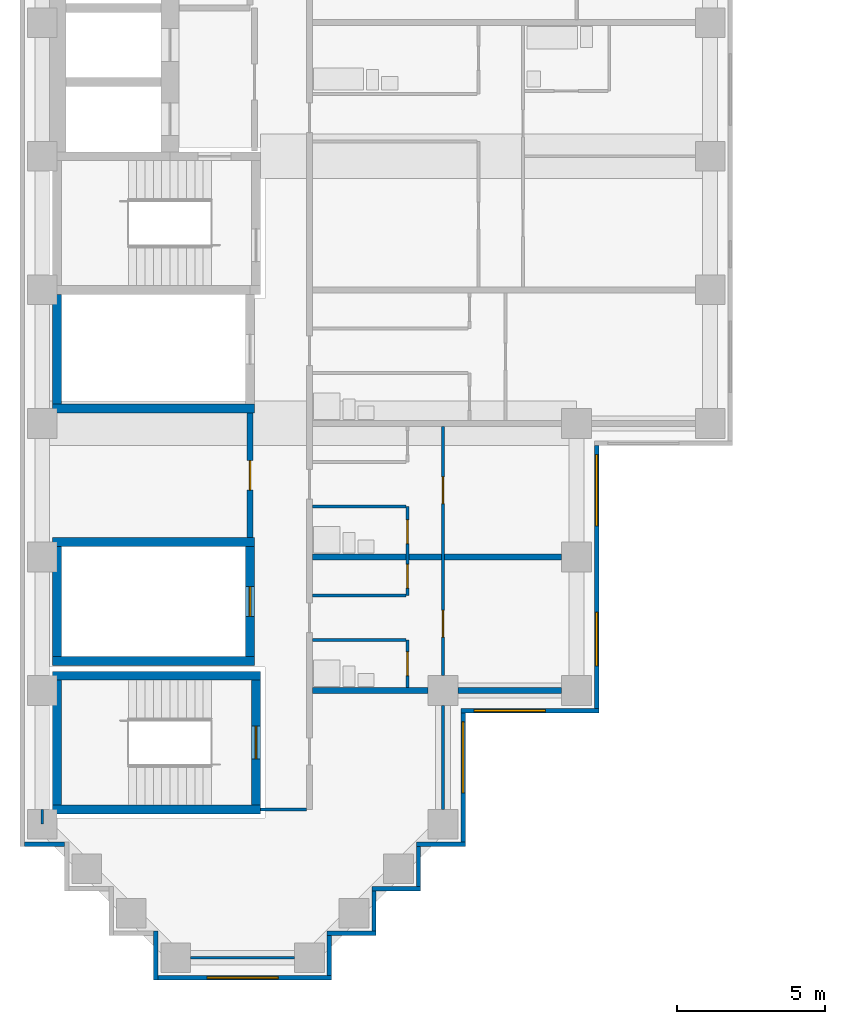
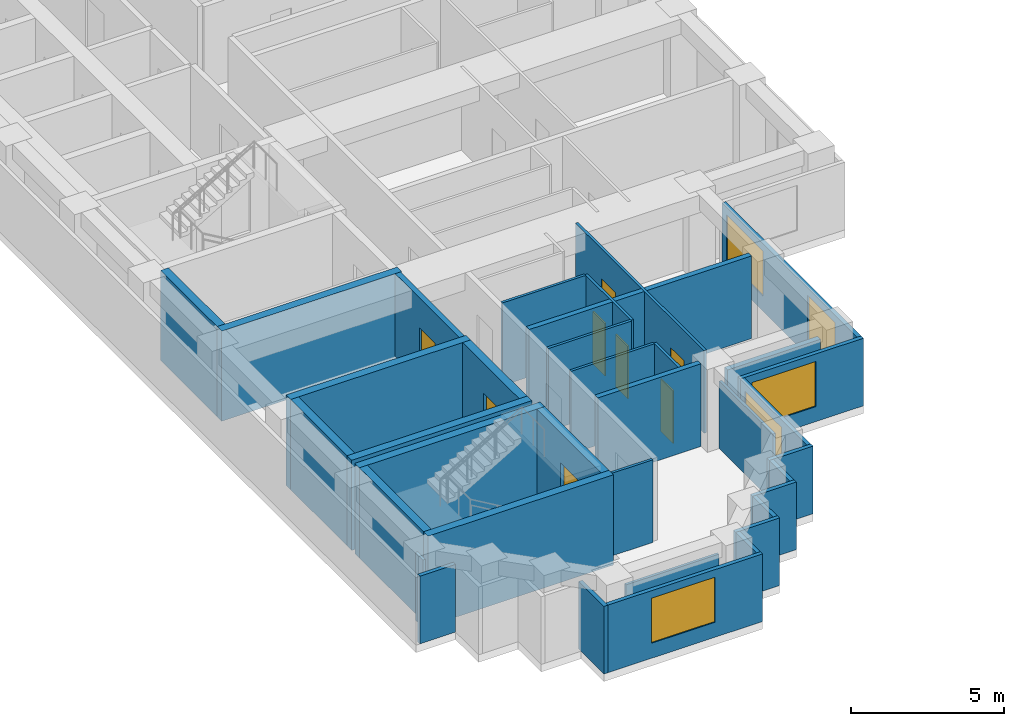
# One storey, part 2 of 12: 36 walls, 8 doors, 5 windows, 13 openings.
"""IFC4 building model written with IfcOpenShell, lengths in metres."""

from ifc_helpers import new_model, si_unit, direction, frame, frame_2d, origin, place, context, subcontext, project, spatial, rectangle, extrude, material, layer, layer_set, type_object, element, fill, save


model = new_model("IFC4")

# Units and contexts
model_context = context("Model", 3, precision=1e-05, world=origin(), true_north=direction((0.0, 1.0)))
body_context = subcontext(model_context, "Body", "Model", "MODEL_VIEW")
ifc_project = project(units=[si_unit("LENGTHUNIT", "METRE"), si_unit("AREAUNIT", "SQUARE_METRE"), si_unit("VOLUMEUNIT", "CUBIC_METRE"), si_unit("PLANEANGLEUNIT", "RADIAN"), si_unit("MASSUNIT", "GRAM", prefix="KILO")], contexts=[model_context])

# Site, building, storey
site_placement = place(None, origin())
site = spatial("IfcSite", under=ifc_project, at=site_placement, CompositionType="ELEMENT")
building_placement = place(site_placement, origin())
building = spatial("IfcBuilding", under=site, at=building_placement, Name="Firuza Court", CompositionType="ELEMENT")
storey_placement = place(building_placement, frame((0.0, 0.0, 148.39990234375)))
storey = spatial("IfcBuildingStorey", under=building, at=storey_placement, Name="L37", CompositionType="ELEMENT", Elevation=148.39990234375)

# Walls
ifc_material_1 = material(Name="Moisture-resistant gypsum board partition")
ifc_layer_1 = layer(ifc_material_1, 0.10009765625)
ifc_layer_set_1 = layer_set([ifc_layer_1], Name="Moisture-resistant gypsum board partition")
wall_type_1 = type_object("IfcWallType", Name="Bathroom partition 100", PredefinedType="PLUMBINGWALL", material=ifc_layer_set_1)
for number, where, z_axis, x_axis, name in (
    (1, (9.10009765625, 10.699951171875, 0.0), (0.0, 0.0, 1.0), (1.0, 0.0, 0.0), "Bathroom partition 100 L37"),
    (2, (9.10009765625, 15.199951171875, 0.0), (0.0, 0.0, 1.0), (1.0, 0.0, 0.0), "Bathroom partition 100 L37"),
):
    element("IfcWall", number, at=place(storey_placement, frame(where, z_axis=z_axis, x_axis=x_axis)), inside=storey, type_object=wall_type_1, Name=name, PredefinedType="PLUMBINGWALL", context=body_context, shape_type="SweptSolid", body=[
        extrude(rectangle(XDim=3.14990234375, YDim=0.10009765625, at=frame_2d((1.574951171875, 0.0))), origin(), (0.0, 0.0, 1.0), 3.300048828125),
    ])
ifc_material_2 = material(Name="Concrete C60/75", Category="concrete")
ifc_layer_2 = layer(ifc_material_2, 0.300048828125)
ifc_layer_set_2 = layer_set([ifc_layer_2], Name="Concrete C60/75")
wall_type_2 = type_object("IfcWallType", Name="Core wall 300 C60/75", PredefinedType="SHEAR", material=ifc_layer_set_2)
for number, where, z_axis, x_axis, name in (
    (3, (0.35009765625, 5.0, -0.2998046875), (0.0, 0.0, 1.0), (1.0, 0.0, 0.0), "Core wall stair L37"),
    (4, (0.35009765625, 9.5, -0.2998046875), (0.0, 0.0, 1.0), (1.0, 0.0, 0.0), "Core wall stair L37"),
):
    element("IfcWall", number, at=place(storey_placement, frame(where, z_axis=z_axis, x_axis=x_axis)), inside=storey, type_object=wall_type_2, Name=name, PredefinedType="SHEAR", context=body_context, shape_type="SweptSolid", body=[
        extrude(rectangle(XDim=7.0, YDim=0.300048828125, at=frame_2d((3.5, 0.0))), origin(), (0.0, 0.0, 1.0), 3.599853515625),
    ])
for number, where, z_axis, x_axis, name in (
    (5, (0.35009765625, 10.0, -0.2998046875), (0.0, 0.0, 1.0), (1.0, 0.0, 0.0), "Core wall riser L37"),
    (6, (0.35009765625, 14.0, -0.2998046875), (0.0, 0.0, 1.0), (1.0, 0.0, 0.0), "Core wall riser L37"),
    (7, (0.35009765625, 18.5, -0.2998046875), (0.0, 0.0, 1.0), (1.0, 0.0, 0.0), "Core wall riser L37"),
):
    element("IfcWall", number, at=place(storey_placement, frame(where, z_axis=z_axis, x_axis=x_axis)), inside=storey, type_object=wall_type_2, Name=name, PredefinedType="SHEAR", context=body_context, shape_type="SweptSolid", body=[
        extrude(rectangle(XDim=6.7998046875, YDim=0.300048828125, at=frame_2d((3.39990234375, 0.0))), origin(), (0.0, 0.0, 1.0), 3.599853515625),
    ])
wall_1_placement = place(storey_placement, frame((0.5, 5.14990234375, -0.2998046875), z_axis=(0.0, 0.0, 1.0), x_axis=(0.0, 1.0, 0.0)))
element("IfcWall", 8, at=wall_1_placement, inside=storey, type_object=wall_type_2, Name="Core wall stair L37", PredefinedType="SHEAR", context=body_context, shape_type="SweptSolid", body=[
    extrude(rectangle(XDim=4.2001953125, YDim=0.300048828125, at=frame_2d((2.10009765625, 0.0))), origin(), (0.0, 0.0, 1.0), 3.599853515625),
])
for number, where, z_axis, x_axis, name in (
    (9, (0.5, 10.14990234375, -0.2998046875), (0.0, 0.0, 1.0), (0.0, 1.0, 0.0), "Core wall riser L37"),
    (10, (0.5, 18.64990234375, -0.2998046875), (0.0, 0.0, 1.0), (0.0, 1.0, 0.0), "Core wall riser L37"),
):
    element("IfcWall", number, at=place(storey_placement, frame(where, z_axis=z_axis, x_axis=x_axis)), inside=storey, type_object=wall_type_2, Name=name, PredefinedType="SHEAR", context=body_context, shape_type="SweptSolid", body=[
        extrude(rectangle(XDim=3.7001953125, YDim=0.300048828125, at=frame_2d((1.85009765625, 0.0))), origin(), (0.0, 0.0, 1.0), 3.599853515625),
    ])

# Wall, opening, door
wall_2_placement = place(storey_placement, frame((7.0, 10.14990234375, -0.2998046875), z_axis=(0.0, 0.0, 1.0), x_axis=(0.0, 1.0, 0.0)))
wall_2 = element("IfcWall", 11, at=wall_2_placement, inside=storey, type_object=wall_type_2, Name="Core wall riser L37", PredefinedType="SHEAR", context=body_context, shape_type="SweptSolid", body=[
    extrude(rectangle(XDim=3.7001953125, YDim=0.300048828125, at=frame_2d((1.85009765625, 0.0))), origin(), (0.0, 0.0, 1.0), 3.599853515625),
])
opening_1_placement = place(wall_2_placement, frame((1.35009765625, 0.0, 0.300048828125)))
opening_1 = element("IfcOpeningElement", 12, at=opening_1_placement, cuts=wall_2, Name="Opening D37011", PredefinedType="OPENING", context=body_context, shape_type="SweptSolid", body=[
    extrude(rectangle(XDim=1.0, YDim=2.10009765625, at=frame_2d((0.5, 1.050048828125))), frame((0.0, 0.162109375, 0.0), z_axis=(0.0, -1.0, 0.0), x_axis=(1.0, 0.0, 0.0)), (0.0, 0.0, 1.0), 0.323974609375),
])
ifc_material_3 = material(Name="Timber door leaf in hardwood frame", Category="wood")
door_type_1 = type_object("IfcDoorType", Name="Riser door 1000", OperationType="SINGLE_SWING_LEFT", PredefinedType="DOOR", material=ifc_material_3)
door_1_placement = place(opening_1_placement, origin())
door_1 = element("IfcDoor", 13, at=door_1_placement, inside=storey, type_object=door_type_1, Name="Riser door R4", OperationType="SINGLE_SWING_LEFT", OverallHeight=2.10009765625, OverallWidth=1.0, PredefinedType="DOOR", context=body_context, shape_type="SweptSolid", body=[
    extrude(rectangle(XDim=1.0, YDim=2.10009765625, at=frame_2d((0.5, 1.050048828125))), frame((0.0, 0.02490234375, 0.0), z_axis=(0.0, -1.0, 0.0), x_axis=(1.0, 0.0, 0.0)), (0.0, 0.0, 1.0), 0.050048828125),
])
fill(opening_1, door_1)

wall_3_placement = place(storey_placement, frame((7.199951171875, 5.14990234375, -0.2998046875), z_axis=(0.0, 0.0, 1.0), x_axis=(0.0, 1.0, 0.0)))
wall_3 = element("IfcWall", 14, at=wall_3_placement, inside=storey, type_object=wall_type_2, Name="Core wall stair L37", PredefinedType="SHEAR", context=body_context, shape_type="SweptSolid", body=[
    extrude(rectangle(XDim=4.2001953125, YDim=0.300048828125, at=frame_2d((2.10009765625, 0.0))), origin(), (0.0, 0.0, 1.0), 3.599853515625),
])
opening_2_placement = place(wall_3_placement, frame((1.550048828125, 0.0, 0.300048828125)))
opening_2 = element("IfcOpeningElement", 15, at=opening_2_placement, cuts=wall_3, Name="Opening D37017", PredefinedType="OPENING", context=body_context, shape_type="SweptSolid", body=[
    extrude(rectangle(XDim=1.10009765625, YDim=2.10009765625, at=frame_2d((0.550048828125, 1.050048828125))), frame((0.0, 0.162109375, 0.0), z_axis=(0.0, -1.0, 0.0), x_axis=(1.0, 0.0, 0.0)), (0.0, 0.0, 1.0), 0.323974609375),
])
ifc_material_4 = material(Name="Timber door leaf in hardwood frame", Category="wood")
door_type_2 = type_object("IfcDoorType", Name="Stair door 1100", OperationType="SINGLE_SWING_LEFT", PredefinedType="DOOR", material=ifc_material_4)
door_2_placement = place(opening_2_placement, origin())
door_2 = element("IfcDoor", 16, at=door_2_placement, inside=storey, type_object=door_type_2, Name="Stair door S5", OperationType="SINGLE_SWING_LEFT", OverallHeight=2.10009765625, OverallWidth=1.10009765625, PredefinedType="DOOR", context=body_context, shape_type="SweptSolid", body=[
    extrude(rectangle(XDim=1.10009765625, YDim=2.10009765625, at=frame_2d((0.550048828125, 1.050048828125))), frame((0.0, 0.02490234375, 0.0), z_axis=(0.0, -1.0, 0.0), x_axis=(1.0, 0.0, 0.0)), (0.0, 0.0, 1.0), 0.050048828125),
])
fill(opening_2, door_2)

ifc_material_5 = material(Name="Blockwork, plastered both sides", Category="masonry")
ifc_layer_3 = layer(ifc_material_5, 0.199951171875)
ifc_layer_set_3 = layer_set([ifc_layer_3], Name="Blockwork, plastered both sides")
wall_type_3 = type_object("IfcWallType", Name="Corridor wall 200", PredefinedType="PARTITIONING", material=ifc_layer_set_3)
wall_4_placement = place(storey_placement, frame((7.0, 14.14990234375, 0.0), z_axis=(0.0, 0.0, 1.0), x_axis=(0.0, 1.0, 0.0)))
wall_4 = element("IfcWall", 17, at=wall_4_placement, inside=storey, type_object=wall_type_3, Name="Corridor wall 200 L37", PredefinedType="PARTITIONING", context=body_context, shape_type="SweptSolid", body=[
    extrude(rectangle(XDim=4.2001953125, YDim=0.199951171875, at=frame_2d((2.10009765625, 0.0))), origin(), (0.0, 0.0, 1.0), 3.300048828125),
])
opening_3_placement = place(wall_4_placement, frame((1.60009765625, 0.0, 0.0)))
opening_3 = element("IfcOpeningElement", 18, at=opening_3_placement, cuts=wall_4, Name="Opening D37028", PredefinedType="OPENING", context=body_context, shape_type="SweptSolid", body=[
    extrude(rectangle(XDim=1.0, YDim=2.10009765625, at=frame_2d((0.5, 1.050048828125))), frame((0.0, 0.11181640625, 0.0), z_axis=(0.0, -1.0, 0.0), x_axis=(1.0, 0.0, 0.0)), (0.0, 0.0, 1.0), 0.223876953125),
])
ifc_material_6 = material(Name="Timber door leaf in hardwood frame", Category="wood")
door_type_3 = type_object("IfcDoorType", Name="Store door 1000", OperationType="SINGLE_SWING_LEFT", PredefinedType="DOOR", material=ifc_material_6)
door_3_placement = place(opening_3_placement, origin())
door_3 = element("IfcDoor", 19, at=door_3_placement, inside=storey, type_object=door_type_3, Name="Parcel room door", OperationType="SINGLE_SWING_LEFT", OverallHeight=2.10009765625, OverallWidth=1.0, PredefinedType="DOOR", context=body_context, shape_type="SweptSolid", body=[
    extrude(rectangle(XDim=1.0, YDim=2.10009765625, at=frame_2d((0.5, 1.050048828125))), frame((0.0, 0.02490234375, 0.0), z_axis=(0.0, -1.0, 0.0), x_axis=(1.0, 0.0, 0.0)), (0.0, 0.0, 1.0), 0.050048828125),
])
fill(opening_3, door_3)

# Walls
ifc_material_7 = material(Name="Timber stud partition, plasterboard both sides", Category="wood")
ifc_layer_4 = layer(ifc_material_7, 0.10009765625)
ifc_layer_set_4 = layer_set([ifc_layer_4], Name="Timber stud partition, plasterboard both sides")
wall_type_4 = type_object("IfcWallType", Name="Partition wall 100", PredefinedType="PARTITIONING", material=ifc_layer_set_4)
wall_5_placement = place(storey_placement, frame((5.0, 0.0, 0.0), z_axis=(0.0, 0.0, 1.0), x_axis=(1.0, 0.0, 0.0)))
element("IfcWall", 20, at=wall_5_placement, inside=storey, type_object=wall_type_4, Name="Partition wall 100 L37", PredefinedType="PARTITIONING", context=body_context, shape_type="SweptSolid", body=[
    extrude(rectangle(XDim=3.5, YDim=0.10009765625, at=frame_2d((1.75, 0.0))), origin(), (0.0, 0.0, 1.0), 2.7001953125),
])
wall_6_placement = place(storey_placement, frame((0.0, 4.5, 0.0), z_axis=(0.0, 0.0, 1.0), x_axis=(0.0, 1.0, 0.0)))
element("IfcWall", 21, at=wall_6_placement, inside=storey, type_object=wall_type_4, Name="Partition wall 100 L37", PredefinedType="PARTITIONING", context=body_context, shape_type="SweptSolid", body=[
    extrude(rectangle(XDim=0.5, YDim=0.10009765625, at=frame_2d((0.25, 0.0))), origin(), (0.0, 0.0, 1.0), 2.7001953125),
])
wall_7_placement = place(storey_placement, frame((7.34912109375, 5.0, 0.0), z_axis=(0.0, 0.0, 1.0), x_axis=(1.0, 0.0, 0.0)))
element("IfcWall", 22, at=wall_7_placement, inside=storey, type_object=wall_type_4, Name="Partition wall 100 L37", PredefinedType="PARTITIONING", context=body_context, shape_type="SweptSolid", body=[
    extrude(rectangle(XDim=1.55078125, YDim=0.10009765625, at=frame_2d((0.775390625, 0.0))), origin(), (0.0, 0.0, 1.0), 3.300048828125),
])
wall_8_placement = place(storey_placement, frame((13.5, 5.0, 0.0), z_axis=(0.0, 0.0, 1.0), x_axis=(0.0, 1.0, 0.0)))
element("IfcWall", 23, at=wall_8_placement, inside=storey, type_object=wall_type_4, Name="Partition wall 100 L37", PredefinedType="PARTITIONING", context=body_context, shape_type="SweptSolid", body=[
    extrude(rectangle(XDim=3.5, YDim=0.10009765625, at=frame_2d((1.75, 0.0))), origin(), (0.0, 0.0, 1.0), 2.7001953125),
])

# Wall, opening, door
wall_9_placement = place(storey_placement, frame((12.300048828125, 9.10009765625, 0.0), z_axis=(0.0, 0.0, 1.0), x_axis=(0.0, 1.0, 0.0)))
wall_9 = element("IfcWall", 24, at=wall_9_placement, inside=storey, type_object=wall_type_4, Name="Partition wall 100 L37", PredefinedType="PARTITIONING", context=body_context, shape_type="SweptSolid", body=[
    extrude(rectangle(XDim=1.599853515625, YDim=0.10009765625, at=frame_2d((0.7998046875, 0.0))), origin(), (0.0, 0.0, 1.0), 3.300048828125),
])
opening_4_placement = place(wall_9_placement, frame((0.39990234375, 0.0, 0.0)))
opening_4 = element("IfcOpeningElement", 25, at=opening_4_placement, cuts=wall_9, Name="Opening D37023", PredefinedType="OPENING", context=body_context, shape_type="SweptSolid", body=[
    extrude(rectangle(XDim=0.800048828125, YDim=2.10009765625, at=frame_2d((0.39990234375, 1.050048828125))), frame((0.0, 0.06201171875, 0.0), z_axis=(0.0, -1.0, 0.0), x_axis=(1.0, 0.0, 0.0)), (0.0, 0.0, 1.0), 0.1240234375),
])
ifc_material_8 = material(Name="Timber door leaf in hardwood frame", Category="wood")
door_type_4 = type_object("IfcDoorType", Name="Bathroom door 800", OperationType="SINGLE_SWING_LEFT", PredefinedType="DOOR", material=ifc_material_8)
door_4_placement = place(opening_4_placement, origin())
door_4 = element("IfcDoor", 26, at=door_4_placement, inside=storey, type_object=door_type_4, Name="Bathroom door", OperationType="SINGLE_SWING_RIGHT", OverallHeight=2.10009765625, OverallWidth=0.800048828125, PredefinedType="DOOR", context=body_context, shape_type="SweptSolid", body=[
    extrude(rectangle(XDim=0.800048828125, YDim=2.10009765625, at=frame_2d((0.39990234375, 1.050048828125))), frame((0.0, 0.02490234375, 0.0), z_axis=(0.0, -1.0, 0.0), x_axis=(1.0, 0.0, 0.0)), (0.0, 0.0, 1.0), 0.050048828125),
])
fill(opening_4, door_4)

# Wall, openings, doors
wall_10_placement = place(storey_placement, frame((13.5, 9.5, 0.0), z_axis=(0.0, 0.0, 1.0), x_axis=(0.0, 1.0, 0.0)))
wall_10 = element("IfcWall", 27, at=wall_10_placement, inside=storey, type_object=wall_type_4, Name="Partition wall 100 L37", PredefinedType="PARTITIONING", context=body_context, shape_type="SweptSolid", body=[
    extrude(rectangle(XDim=8.39990234375, YDim=0.10009765625, at=frame_2d((4.199951171875, 0.0))), origin(), (0.0, 0.0, 1.0), 3.300048828125),
])
opening_5_placement = place(wall_10_placement, frame((5.800048828125, 0.0, 0.0)))
opening_5 = element("IfcOpeningElement", 28, at=opening_5_placement, cuts=wall_10, Name="Opening D37024", PredefinedType="OPENING", context=body_context, shape_type="SweptSolid", body=[
    extrude(rectangle(XDim=0.89990234375, YDim=2.10009765625, at=frame_2d((0.449951171875, 1.050048828125))), frame((0.0, 0.06201171875, 0.0), z_axis=(0.0, -1.0, 0.0), x_axis=(1.0, 0.0, 0.0)), (0.0, 0.0, 1.0), 0.1240234375),
])
opening_6_placement = place(wall_10_placement, frame((1.300048828125, 0.0, 0.0)))
opening_6 = element("IfcOpeningElement", 29, at=opening_6_placement, cuts=wall_10, Name="Opening D37025", PredefinedType="OPENING", context=body_context, shape_type="SweptSolid", body=[
    extrude(rectangle(XDim=0.89990234375, YDim=2.10009765625, at=frame_2d((0.449951171875, 1.050048828125))), frame((0.0, 0.06201171875, 0.0), z_axis=(0.0, -1.0, 0.0), x_axis=(1.0, 0.0, 0.0)), (0.0, 0.0, 1.0), 0.1240234375),
])
ifc_material_9 = material(Name="Timber door leaf in hardwood frame", Category="wood")
door_type_5 = type_object("IfcDoorType", Name="Room door 900", OperationType="SINGLE_SWING_LEFT", PredefinedType="DOOR", material=ifc_material_9)
door_5_placement = place(opening_5_placement, frame((0.89990234375, 0.0, 0.0), z_axis=(0.0, 0.0, 1.0), x_axis=(-1.0, 0.0, 0.0)))
door_5 = element("IfcDoor", 30, at=door_5_placement, inside=storey, type_object=door_type_5, Name="Studio room door", OperationType="SINGLE_SWING_RIGHT", OverallHeight=2.10009765625, OverallWidth=0.89990234375, PredefinedType="DOOR", context=body_context, shape_type="SweptSolid", body=[
    extrude(rectangle(XDim=0.89990234375, YDim=2.10009765625, at=frame_2d((0.449951171875, 1.050048828125))), frame((0.0, 0.02490234375, 0.0), z_axis=(0.0, -1.0, 0.0), x_axis=(1.0, 0.0, 0.0)), (0.0, 0.0, 1.0), 0.050048828125),
])
fill(opening_5, door_5)
door_6_placement = place(opening_6_placement, frame((0.89990234375, 0.0, 0.0), z_axis=(0.0, 0.0, 1.0), x_axis=(-1.0, 0.0, 0.0)))
door_6 = element("IfcDoor", 31, at=door_6_placement, inside=storey, type_object=door_type_5, Name="Studio room door", OperationType="SINGLE_SWING_RIGHT", OverallHeight=2.10009765625, OverallWidth=0.89990234375, PredefinedType="DOOR", context=body_context, shape_type="SweptSolid", body=[
    extrude(rectangle(XDim=0.89990234375, YDim=2.10009765625, at=frame_2d((0.449951171875, 1.050048828125))), frame((0.0, 0.02490234375, 0.0), z_axis=(0.0, -1.0, 0.0), x_axis=(1.0, 0.0, 0.0)), (0.0, 0.0, 1.0), 0.050048828125),
])
fill(opening_6, door_6)

# Wall
wall_11_placement = place(storey_placement, frame((9.10009765625, 12.199951171875, 0.0), z_axis=(0.0, 0.0, 1.0), x_axis=(1.0, 0.0, 0.0)))
element("IfcWall", 32, at=wall_11_placement, inside=storey, type_object=wall_type_4, Name="Partition wall 100 L37", PredefinedType="PARTITIONING", context=body_context, shape_type="SweptSolid", body=[
    extrude(rectangle(XDim=3.14990234375, YDim=0.10009765625, at=frame_2d((1.574951171875, 0.0))), origin(), (0.0, 0.0, 1.0), 3.300048828125),
])

# Wall, openings, doors
wall_12_placement = place(storey_placement, frame((12.300048828125, 12.199951171875, 0.0), z_axis=(0.0, 0.0, 1.0), x_axis=(0.0, 1.0, 0.0)))
wall_12 = element("IfcWall", 33, at=wall_12_placement, inside=storey, type_object=wall_type_4, Name="Partition wall 100 L37", PredefinedType="PARTITIONING", context=body_context, shape_type="SweptSolid", body=[
    extrude(rectangle(XDim=3.0, YDim=0.10009765625, at=frame_2d((1.5, 0.0))), origin(), (0.0, 0.0, 1.0), 3.300048828125),
])
opening_7_placement = place(wall_12_placement, frame((1.75, 0.0, 0.0)))
opening_7 = element("IfcOpeningElement", 34, at=opening_7_placement, cuts=wall_12, Name="Opening D37026", PredefinedType="OPENING", context=body_context, shape_type="SweptSolid", body=[
    extrude(rectangle(XDim=0.800048828125, YDim=2.10009765625, at=frame_2d((0.39990234375, 1.050048828125))), frame((0.0, 0.06201171875, 0.0), z_axis=(0.0, -1.0, 0.0), x_axis=(1.0, 0.0, 0.0)), (0.0, 0.0, 1.0), 0.1240234375),
])
opening_8_placement = place(wall_12_placement, frame((0.25, 0.0, 0.0)))
opening_8 = element("IfcOpeningElement", 35, at=opening_8_placement, cuts=wall_12, Name="Opening D37027", PredefinedType="OPENING", context=body_context, shape_type="SweptSolid", body=[
    extrude(rectangle(XDim=0.800048828125, YDim=2.10009765625, at=frame_2d((0.39990234375, 1.050048828125))), frame((0.0, 0.06201171875, 0.0), z_axis=(0.0, -1.0, 0.0), x_axis=(1.0, 0.0, 0.0)), (0.0, 0.0, 1.0), 0.1240234375),
])
door_7_placement = place(opening_7_placement, origin())
door_7 = element("IfcDoor", 36, at=door_7_placement, inside=storey, type_object=door_type_4, Name="Bathroom door", OperationType="SINGLE_SWING_LEFT", OverallHeight=2.10009765625, OverallWidth=0.800048828125, PredefinedType="DOOR", context=body_context, shape_type="SweptSolid", body=[
    extrude(rectangle(XDim=0.800048828125, YDim=2.10009765625, at=frame_2d((0.39990234375, 1.050048828125))), frame((0.0, 0.02490234375, 0.0), z_axis=(0.0, -1.0, 0.0), x_axis=(1.0, 0.0, 0.0)), (0.0, 0.0, 1.0), 0.050048828125),
])
fill(opening_7, door_7)
ifc_material_10 = material(Name="Timber door leaf in hardwood frame", Category="wood")
door_type_6 = type_object("IfcDoorType", Name="Room door 800", OperationType="SINGLE_SWING_LEFT", PredefinedType="DOOR", material=ifc_material_10)
door_8_placement = place(opening_8_placement, origin())
door_8 = element("IfcDoor", 37, at=door_8_placement, inside=storey, type_object=door_type_6, Name="Kitchen door", OperationType="SINGLE_SWING_LEFT", OverallHeight=2.10009765625, OverallWidth=0.800048828125, PredefinedType="DOOR", context=body_context, shape_type="SweptSolid", body=[
    extrude(rectangle(XDim=0.800048828125, YDim=2.10009765625, at=frame_2d((0.39990234375, 1.050048828125))), frame((0.0, 0.02490234375, 0.0), z_axis=(0.0, -1.0, 0.0), x_axis=(1.0, 0.0, 0.0)), (0.0, 0.0, 1.0), 0.050048828125),
])
fill(opening_8, door_8)

# Walls
ifc_layer_5 = layer(ifc_material_5, 0.199951171875)
ifc_layer_set_5 = layer_set([ifc_layer_5], Name="Blockwork, plastered both sides")
wall_type_5 = type_object("IfcWallType", Name="Party wall 200", PredefinedType="PARTITIONING", material=ifc_layer_set_5)
wall_13_placement = place(storey_placement, frame((9.10009765625, 9.0, 0.0), z_axis=(0.0, 0.0, 1.0), x_axis=(1.0, 0.0, 0.0)))
element("IfcWall", 38, at=wall_13_placement, inside=storey, type_object=wall_type_5, Name="Party wall 200 L37", PredefinedType="PARTITIONING", context=body_context, shape_type="SweptSolid", body=[
    extrude(rectangle(XDim=3.89990234375, YDim=0.199951171875, at=frame_2d((1.949951171875, 0.0))), origin(), (0.0, 0.0, 1.0), 3.300048828125),
])
wall_14_placement = place(storey_placement, frame((14.0, 9.0, 0.0), z_axis=(0.0, 0.0, 1.0), x_axis=(1.0, 0.0, 0.0)))
element("IfcWall", 39, at=wall_14_placement, inside=storey, type_object=wall_type_5, Name="Party wall 200 L37", PredefinedType="PARTITIONING", context=body_context, shape_type="SweptSolid", body=[
    extrude(rectangle(XDim=3.5, YDim=0.199951171875, at=frame_2d((1.75, 0.0))), origin(), (0.0, 0.0, 1.0), 2.7001953125),
])
wall_15_placement = place(storey_placement, frame((9.10009765625, 13.5, 0.0), z_axis=(0.0, 0.0, 1.0), x_axis=(1.0, 0.0, 0.0)))
element("IfcWall", 40, at=wall_15_placement, inside=storey, type_object=wall_type_5, Name="Party wall 200 L37", PredefinedType="PARTITIONING", context=body_context, shape_type="SweptSolid", body=[
    extrude(rectangle(XDim=8.39990234375, YDim=0.199951171875, at=frame_2d((4.199951171875, 0.0))), origin(), (0.0, 0.0, 1.0), 3.300048828125),
])
ifc_material_11 = material(Name="Ceramic tile", Category="ceramic")
ifc_layer_6 = layer(ifc_material_11, 0.02001953125)
ifc_material_12 = material(Name="Mineral wool insulation", Category="insulation")
ifc_layer_7 = layer(ifc_material_12, 0.050048828125)
ifc_material_13 = material(Name="Concrete C40/50 precast", Category="concrete")
ifc_layer_8 = layer(ifc_material_13, 0.080078125)
ifc_layer_set_6 = layer_set([ifc_layer_6, ifc_layer_7, ifc_layer_8], Name="Concrete C40/50 precast")
wall_type_6 = type_object("IfcWallType", Name="Precast cladding wall with turquoise TILE PANEL face 150", PredefinedType="STANDARD", material=ifc_layer_set_6)
wall_16_placement = place(storey_placement, frame((9.675048828125, -0.60009765625, 0.0), z_axis=(0.0, 0.0, 1.0), x_axis=(0.0, 1.0, 0.0)))
element("IfcWall", 41, at=wall_16_placement, inside=storey, type_object=wall_type_6, Name="Facade wall L37 E", PredefinedType="STANDARD", context=body_context, shape_type="SweptSolid", body=[
    extrude(rectangle(XDim=1.35009765625, YDim=0.14990234375, at=frame_2d((0.675048828125, 0.0))), origin(), (0.0, 0.0, 1.0), 2.7001953125),
])
wall_17_placement = place(storey_placement, frame((9.60009765625, 0.824951171875, 0.0), z_axis=(0.0, 0.0, 1.0), x_axis=(1.0, 0.0, 0.0)))
element("IfcWall", 42, at=wall_17_placement, inside=storey, type_object=wall_type_6, Name="Facade wall L37 S", PredefinedType="STANDARD", context=body_context, shape_type="SweptSolid", body=[
    extrude(rectangle(XDim=1.64990234375, YDim=0.14990234375, at=frame_2d((0.824951171875, 0.0))), origin(), (0.0, 0.0, 1.0), 2.7001953125),
])
wall_18_placement = place(storey_placement, frame((11.175048828125, 0.89990234375, 0.0), z_axis=(0.0, 0.0, 1.0), x_axis=(0.0, 1.0, 0.0)))
element("IfcWall", 43, at=wall_18_placement, inside=storey, type_object=wall_type_6, Name="Facade wall L37 E", PredefinedType="STANDARD", context=body_context, shape_type="SweptSolid", body=[
    extrude(rectangle(XDim=1.35009765625, YDim=0.14990234375, at=frame_2d((0.675048828125, 0.0))), origin(), (0.0, 0.0, 1.0), 2.7001953125),
])
wall_19_placement = place(storey_placement, frame((11.10009765625, 2.324951171875, 0.0), z_axis=(0.0, 0.0, 1.0), x_axis=(1.0, 0.0, 0.0)))
element("IfcWall", 44, at=wall_19_placement, inside=storey, type_object=wall_type_6, Name="Facade wall L37 S", PredefinedType="STANDARD", context=body_context, shape_type="SweptSolid", body=[
    extrude(rectangle(XDim=1.64990234375, YDim=0.14990234375, at=frame_2d((0.824951171875, 0.0))), origin(), (0.0, 0.0, 1.0), 2.7001953125),
])
wall_20_placement = place(storey_placement, frame((12.675048828125, 2.39990234375, 0.0), z_axis=(0.0, 0.0, 1.0), x_axis=(0.0, 1.0, 0.0)))
element("IfcWall", 45, at=wall_20_placement, inside=storey, type_object=wall_type_6, Name="Facade wall L37 E", PredefinedType="STANDARD", context=body_context, shape_type="SweptSolid", body=[
    extrude(rectangle(XDim=1.35009765625, YDim=0.14990234375, at=frame_2d((0.675048828125, 0.0))), origin(), (0.0, 0.0, 1.0), 2.7001953125),
])
wall_21_placement = place(storey_placement, frame((12.60009765625, 3.824951171875, 0.0), z_axis=(0.0, 0.0, 1.0), x_axis=(1.0, 0.0, 0.0)))
element("IfcWall", 46, at=wall_21_placement, inside=storey, type_object=wall_type_6, Name="Facade wall L37 S", PredefinedType="STANDARD", context=body_context, shape_type="SweptSolid", body=[
    extrude(rectangle(XDim=1.64990234375, YDim=0.14990234375, at=frame_2d((0.824951171875, 0.0))), origin(), (0.0, 0.0, 1.0), 2.7001953125),
])

# Wall, opening, window
wall_22_placement = place(storey_placement, frame((14.175048828125, 3.89990234375, 0.0), z_axis=(0.0, 0.0, 1.0), x_axis=(0.0, 1.0, 0.0)))
wall_22 = element("IfcWall", 47, at=wall_22_placement, inside=storey, type_object=wall_type_6, Name="Facade wall L37 E", PredefinedType="STANDARD", context=body_context, shape_type="SweptSolid", body=[
    extrude(rectangle(XDim=4.35009765625, YDim=0.14990234375, at=frame_2d((2.175048828125, 0.0))), origin(), (0.0, 0.0, 1.0), 2.7001953125),
])
opening_9_placement = place(wall_22_placement, frame((1.64990234375, 0.0, 0.60009765625)))
opening_9 = element("IfcOpeningElement", 48, at=opening_9_placement, cuts=wall_22, Name="Opening W1", PredefinedType="OPENING", context=body_context, shape_type="SweptSolid", body=[
    extrude(rectangle(XDim=2.39990234375, YDim=1.800048828125, at=frame_2d((1.199951171875, 0.89990234375))), frame((0.0, 0.0869140625, 0.0), z_axis=(0.0, -1.0, 0.0), x_axis=(1.0, 0.0, 0.0)), (0.0, 0.0, 1.0), 0.173828125),
])
ifc_material_14 = material(Name="Aluminium frame, triple clear glazing", Category="aluminium")
window_type_1 = type_object("IfcWindowType", Name="Window W1 2400 x 1800", PartitioningType="SINGLE_PANEL", PredefinedType="WINDOW", material=ifc_material_14)
window_1_placement = place(opening_9_placement, origin())
window_1 = element("IfcWindow", 49, at=window_1_placement, inside=storey, type_object=window_type_1, Name="Window L37", OverallHeight=1.800048828125, OverallWidth=2.39990234375, PartitioningType="SINGLE_PANEL", PredefinedType="WINDOW", context=body_context, shape_type="SweptSolid", body=[
    extrude(rectangle(XDim=2.39990234375, YDim=1.800048828125, at=frame_2d((1.199951171875, 0.89990234375))), frame((0.0, 0.030029296875, 0.0), z_axis=(0.0, -1.0, 0.0), x_axis=(1.0, 0.0, 0.0)), (0.0, 0.0, 1.0), 0.06005859375),
])
fill(opening_9, window_1)

wall_23_placement = place(storey_placement, frame((14.10009765625, 8.324951171875, 0.0), z_axis=(0.0, 0.0, 1.0), x_axis=(1.0, 0.0, 0.0)))
wall_23 = element("IfcWall", 50, at=wall_23_placement, inside=storey, type_object=wall_type_6, Name="Facade wall L37 S", PredefinedType="STANDARD", context=body_context, shape_type="SweptSolid", body=[
    extrude(rectangle(XDim=4.64990234375, YDim=0.14990234375, at=frame_2d((2.324951171875, 0.0))), origin(), (0.0, 0.0, 1.0), 2.7001953125),
])
opening_10_placement = place(wall_23_placement, frame((0.449951171875, 0.0, 0.60009765625)))
opening_10 = element("IfcOpeningElement", 51, at=opening_10_placement, cuts=wall_23, Name="Opening W1", PredefinedType="OPENING", context=body_context, shape_type="SweptSolid", body=[
    extrude(rectangle(XDim=2.39990234375, YDim=1.800048828125, at=frame_2d((1.199951171875, 0.89990234375))), frame((0.0, 0.0869140625, 0.0), z_axis=(0.0, -1.0, 0.0), x_axis=(1.0, 0.0, 0.0)), (0.0, 0.0, 1.0), 0.173828125),
])
window_2_placement = place(opening_10_placement, origin())
window_2 = element("IfcWindow", 52, at=window_2_placement, inside=storey, type_object=window_type_1, Name="Window L37", OverallHeight=1.800048828125, OverallWidth=2.39990234375, PartitioningType="SINGLE_PANEL", PredefinedType="WINDOW", context=body_context, shape_type="SweptSolid", body=[
    extrude(rectangle(XDim=2.39990234375, YDim=1.800048828125, at=frame_2d((1.199951171875, 0.89990234375))), frame((0.0, 0.030029296875, 0.0), z_axis=(0.0, -1.0, 0.0), x_axis=(1.0, 0.0, 0.0)), (0.0, 0.0, 1.0), 0.06005859375),
])
fill(opening_10, window_2)

# Wall, openings, windows
wall_24_placement = place(storey_placement, frame((18.675048828125, 8.39990234375, 0.0), z_axis=(0.0, 0.0, 1.0), x_axis=(0.0, 1.0, 0.0)))
wall_24 = element("IfcWall", 53, at=wall_24_placement, inside=storey, type_object=wall_type_6, Name="Facade wall L37 E", PredefinedType="STANDARD", context=body_context, shape_type="SweptSolid", body=[
    extrude(rectangle(XDim=8.85009765625, YDim=0.14990234375, at=frame_2d((4.425048828125, 0.0))), origin(), (0.0, 0.0, 1.0), 2.7001953125),
])
opening_11_placement = place(wall_24_placement, frame((1.43408203125, 0.0, 0.60009765625)))
opening_11 = element("IfcOpeningElement", 54, at=opening_11_placement, cuts=wall_24, Name="Opening W7", PredefinedType="OPENING", context=body_context, shape_type="SweptSolid", body=[
    extrude(rectangle(XDim=1.800048828125, YDim=1.800048828125, at=frame_2d((0.89990234375, 0.89990234375))), frame((0.0, 0.0869140625, 0.0), z_axis=(0.0, -1.0, 0.0), x_axis=(1.0, 0.0, 0.0)), (0.0, 0.0, 1.0), 0.173828125),
])
opening_12_placement = place(wall_24_placement, frame((6.14990234375, 0.0, 0.60009765625)))
opening_12 = element("IfcOpeningElement", 55, at=opening_12_placement, cuts=wall_24, Name="Opening W1", PredefinedType="OPENING", context=body_context, shape_type="SweptSolid", body=[
    extrude(rectangle(XDim=2.39990234375, YDim=1.800048828125, at=frame_2d((1.199951171875, 0.89990234375))), frame((0.0, 0.0869140625, 0.0), z_axis=(0.0, -1.0, 0.0), x_axis=(1.0, 0.0, 0.0)), (0.0, 0.0, 1.0), 0.173828125),
])
window_3_placement = place(opening_12_placement, origin())
window_3 = element("IfcWindow", 56, at=window_3_placement, inside=storey, type_object=window_type_1, Name="Window L37", OverallHeight=1.800048828125, OverallWidth=2.39990234375, PartitioningType="SINGLE_PANEL", PredefinedType="WINDOW", context=body_context, shape_type="SweptSolid", body=[
    extrude(rectangle(XDim=2.39990234375, YDim=1.800048828125, at=frame_2d((1.199951171875, 0.89990234375))), frame((0.0, 0.030029296875, 0.0), z_axis=(0.0, -1.0, 0.0), x_axis=(1.0, 0.0, 0.0)), (0.0, 0.0, 1.0), 0.06005859375),
])
fill(opening_12, window_3)
ifc_material_15 = material(Name="Aluminium frame, triple clear glazing", Category="aluminium")
window_type_2 = type_object("IfcWindowType", Name="Window W7 1800 x 1800", PartitioningType="SINGLE_PANEL", PredefinedType="WINDOW", material=ifc_material_15)
window_4_placement = place(opening_11_placement, origin())
window_4 = element("IfcWindow", 57, at=window_4_placement, inside=storey, type_object=window_type_2, Name="Window L37", OverallHeight=1.800048828125, OverallWidth=1.800048828125, PartitioningType="SINGLE_PANEL", PredefinedType="WINDOW", context=body_context, shape_type="SweptSolid", body=[
    extrude(rectangle(XDim=1.800048828125, YDim=1.800048828125, at=frame_2d((0.89990234375, 0.89990234375))), frame((0.0, 0.030029296875, 0.0), z_axis=(0.0, -1.0, 0.0), x_axis=(1.0, 0.0, 0.0)), (0.0, 0.0, 1.0), 0.06005859375),
])
fill(opening_11, window_4)

# Walls
wall_25_placement = place(storey_placement, frame((-0.60009765625, 3.824951171875, 0.0), z_axis=(0.0, 0.0, 1.0), x_axis=(1.0, 0.0, 0.0)))
element("IfcWall", 58, at=wall_25_placement, inside=storey, type_object=wall_type_6, Name="Facade wall L37 S", PredefinedType="STANDARD", context=body_context, shape_type="SweptSolid", body=[
    extrude(rectangle(XDim=1.35009765625, YDim=0.14990234375, at=frame_2d((0.675048828125, 0.0))), origin(), (0.0, 0.0, 1.0), 2.7001953125),
])
wall_26_placement = place(storey_placement, frame((3.824951171875, 0.89990234375, 0.0), z_axis=(0.0, 0.0, 1.0), x_axis=(0.0, -1.0, 0.0)))
element("IfcWall", 59, at=wall_26_placement, inside=storey, type_object=wall_type_6, Name="Facade wall L37 W", PredefinedType="STANDARD", context=body_context, shape_type="SweptSolid", body=[
    extrude(rectangle(XDim=1.64990234375, YDim=0.14990234375, at=frame_2d((0.824951171875, 0.0))), origin(), (0.0, 0.0, 1.0), 2.7001953125),
])

# Wall, opening, window
wall_27_placement = place(storey_placement, frame((3.89990234375, -0.675048828125, 0.0), z_axis=(0.0, 0.0, 1.0), x_axis=(1.0, 0.0, 0.0)))
wall_27 = element("IfcWall", 60, at=wall_27_placement, inside=storey, type_object=wall_type_6, Name="Facade wall L37 S", PredefinedType="STANDARD", context=body_context, shape_type="SweptSolid", body=[
    extrude(rectangle(XDim=5.85009765625, YDim=0.14990234375, at=frame_2d((2.925048828125, 0.0))), origin(), (0.0, 0.0, 1.0), 2.7001953125),
])
opening_13_placement = place(wall_27_placement, frame((1.64990234375, 0.0, 0.60009765625)))
opening_13 = element("IfcOpeningElement", 61, at=opening_13_placement, cuts=wall_27, Name="Opening W1", PredefinedType="OPENING", context=body_context, shape_type="SweptSolid", body=[
    extrude(rectangle(XDim=2.39990234375, YDim=1.800048828125, at=frame_2d((1.199951171875, 0.89990234375))), frame((0.0, 0.0869140625, 0.0), z_axis=(0.0, -1.0, 0.0), x_axis=(1.0, 0.0, 0.0)), (0.0, 0.0, 1.0), 0.173828125),
])
window_5_placement = place(opening_13_placement, origin())
window_5 = element("IfcWindow", 62, at=window_5_placement, inside=storey, type_object=window_type_1, Name="Window L37", OverallHeight=1.800048828125, OverallWidth=2.39990234375, PartitioningType="SINGLE_PANEL", PredefinedType="WINDOW", context=body_context, shape_type="SweptSolid", body=[
    extrude(rectangle(XDim=2.39990234375, YDim=1.800048828125, at=frame_2d((1.199951171875, 0.89990234375))), frame((0.0, 0.030029296875, 0.0), z_axis=(0.0, -1.0, 0.0), x_axis=(1.0, 0.0, 0.0)), (0.0, 0.0, 1.0), 0.06005859375),
])
fill(opening_13, window_5)

save(model, "model.ifc")
